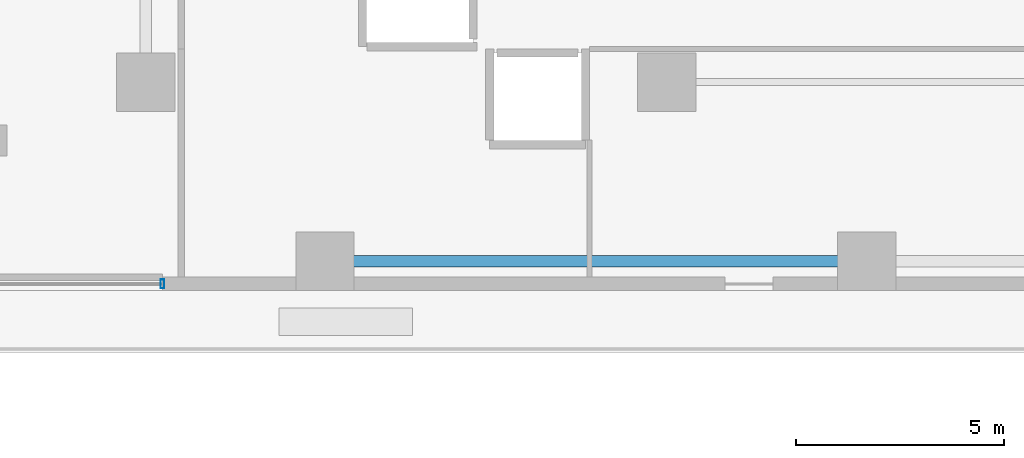
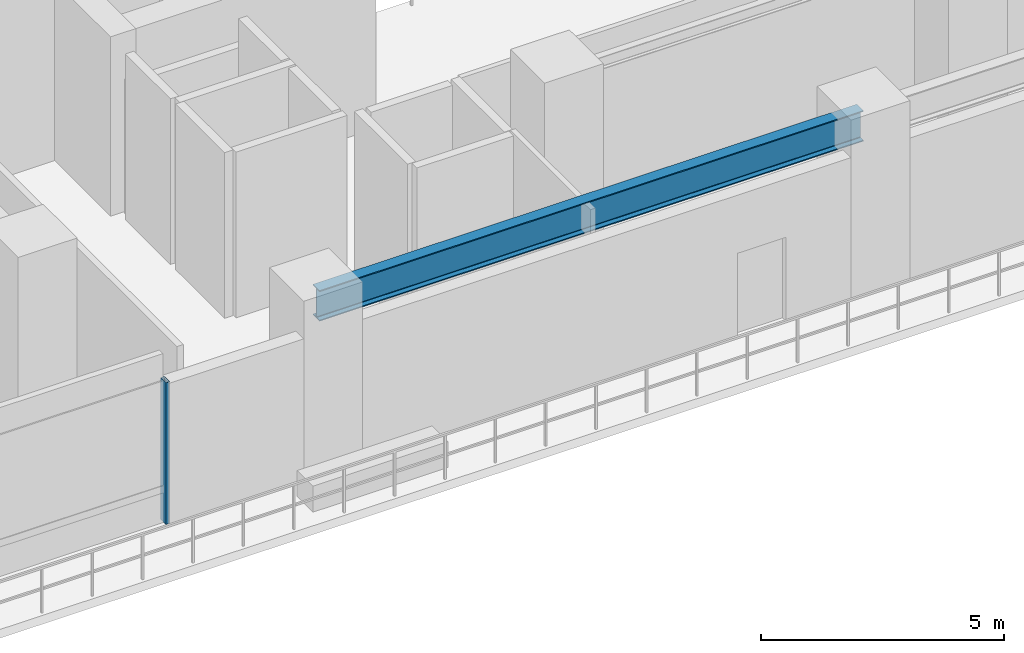
# One storey, part 8 of 24: 1 beam, 1 member, 1 element without a shape of its own.
"""IFC4 building model written with IfcOpenShell, lengths in metres."""

from ifc_helpers import new_model, si_unit, direction, frame, origin, origin_2d, place, context, subcontext, project, spatial, hollow_rectangle, i_section, extrude, material, material_profile, profile_set, type_object, element, aggregate, save


model = new_model("IFC4")

# Units and contexts
model_context = context("Model", 3, precision=1e-05, world=origin(), true_north=direction((0.0, 1.0)))
body_context = subcontext(model_context, "Body", "Model", "MODEL_VIEW")
ifc_project = project(units=[si_unit("LENGTHUNIT", "METRE"), si_unit("AREAUNIT", "SQUARE_METRE"), si_unit("VOLUMEUNIT", "CUBIC_METRE"), si_unit("PLANEANGLEUNIT", "RADIAN"), si_unit("MASSUNIT", "GRAM", prefix="KILO")], contexts=[model_context])

# Site, building, storey
site_placement = place(None, origin())
site = spatial("IfcSite", under=ifc_project, at=site_placement, CompositionType="ELEMENT")
building_placement = place(site_placement, origin())
building = spatial("IfcBuilding", under=site, at=building_placement, Name="Thornwick Lancets Civic Towers", CompositionType="ELEMENT")
storey_placement = place(building_placement, frame((0.0, 0.0, 14.10009765625)))
storey = spatial("IfcBuildingStorey", under=building, at=storey_placement, Name="L03", CompositionType="ELEMENT", Elevation=14.10009765625)

# Beam
ifc_material_1 = material(Name="Steel S355JR", Category="steel")
ifc_material_profile_1 = material_profile(ifc_material_1, i_section(OverallWidth=0.26806640625, OverallDepth=0.769775390625, WebThickness=0.015625, FlangeThickness=0.025390625, FilletRadius=0.0166015625, at=origin_2d()), Name="UKB 762x267x197")
ifc_profile_set_1 = profile_set([ifc_material_profile_1], Name="Steel S355JR")
beam_type = type_object("IfcBeamType", Name="BM_GIRD_762_197", PredefinedType="BEAM", material=ifc_profile_set_1)
beam_placement = place(storey_placement, frame((88.419921875, 9.699951171875, 3.794921875), z_axis=(-1.0, 0.0, 0.0), x_axis=(0.0, -1.0, 0.0)))
element("IfcBeam", 1, at=beam_placement, inside=storey, type_object=beam_type, Name="BM-SPINE-L03-B-10-11", PredefinedType="BEAM", context=body_context, shape_type="SweptSolid", body=[
    extrude(i_section(OverallWidth=0.26806640625, OverallDepth=0.769775390625, WebThickness=0.015625, FlangeThickness=0.025390625, FilletRadius=0.0166015625, at=origin_2d()), origin(), (0.0, 0.0, 1.0), 12.919921875),
])

# Curtain wall, member
ifc_material_2 = material(Name="Terracotta-trimmed cascading podium ribbon curtain wall", Category="masonry")
curtain_wall_type = type_object("IfcCurtainWallType", Name="CW_SYS_02", PredefinedType="NOTDEFINED", material=ifc_material_2)
curtain_wall_placement = place(storey_placement, origin())
curtain_wall = element("IfcCurtainWall", 2, at=curtain_wall_placement, inside=storey, type_object=curtain_wall_type, Name="L03 Curtain Wall CW-L03-POD-SC", PredefinedType="NOTDEFINED")
ifc_material_3 = material(Name="Thermally broken bronze aluminium S355", Category="steel")
ifc_material_profile_2 = material_profile(ifc_material_3, hollow_rectangle(XDim=0.090087890625, YDim=0.219970703125, WallThickness=0.00634765625, at=origin_2d()), Name="RHS 220x90x6.3")
ifc_profile_set_2 = profile_set([ifc_material_profile_2], Name="Thermally broken bronze aluminium S355")
member_type = type_object("IfcMemberType", Name="CW_MUL_220", PredefinedType="MULLION", material=ifc_profile_set_2)
member_placement = place(storey_placement, frame((71.60009765625, 9.159912109375, 0.0), z_axis=(0.0, 0.0, 1.0), x_axis=(1.0, 0.0, 0.0)))
member = element("IfcMember", 3, at=member_placement, type_object=member_type, Name="CW-L03-POD-SC Mullion 2", PredefinedType="MULLION", context=body_context, shape_type="SweptSolid", body=[
    extrude(hollow_rectangle(XDim=0.090087890625, YDim=0.219970703125, WallThickness=0.00634765625, at=origin_2d()), origin(), (0.0, 0.0, 1.0), 3.559814453125),
])
aggregate(curtain_wall, [member])

save(model, "model.ifc")
